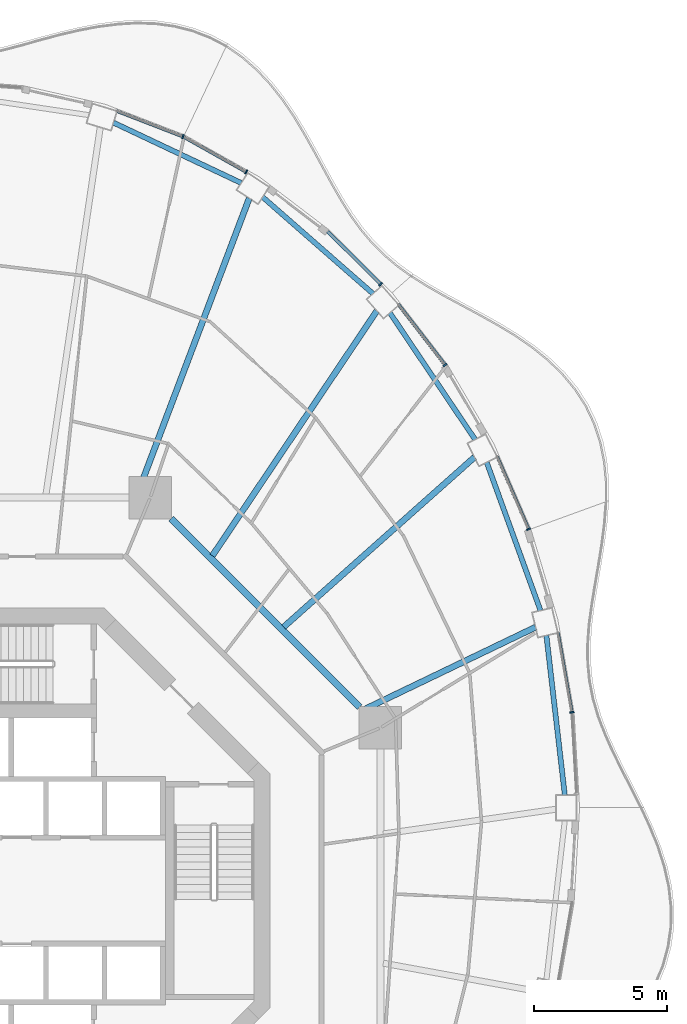
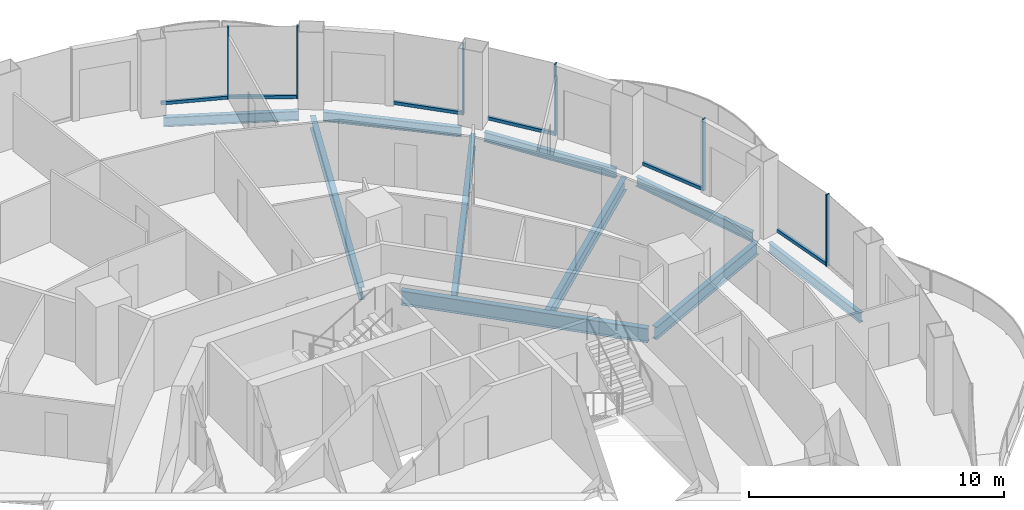
# One storey, part 7 of 18: 12 members, 10 beams, 6 elements without a shape of their own.
"""IFC4 building model written with IfcOpenShell, lengths in metres."""

from ifc_helpers import new_model, si_unit, direction, frame, origin, origin_2d, place, context, subcontext, project, spatial, rectangle, i_section, extrude, material, layer, layer_set, material_profile, profile_set, type_object, element, aggregate, save


model = new_model("IFC4")

# Units and contexts
model_context = context("Model", 3, precision=1e-05, world=origin(), true_north=direction((0.0, 1.0)))
body_context = subcontext(model_context, "Body", "Model", "MODEL_VIEW")
ifc_project = project(units=[si_unit("LENGTHUNIT", "METRE"), si_unit("AREAUNIT", "SQUARE_METRE"), si_unit("VOLUMEUNIT", "CUBIC_METRE"), si_unit("PLANEANGLEUNIT", "RADIAN"), si_unit("MASSUNIT", "GRAM", prefix="KILO")], contexts=[model_context])

# Site, building, storey
site_placement = place(None, origin())
site = spatial("IfcSite", under=ifc_project, at=site_placement, CompositionType="ELEMENT")
building_placement = place(site_placement, origin())
building = spatial("IfcBuilding", under=site, at=building_placement, Name="Nagisa Residences", CompositionType="ELEMENT")
storey_placement = place(building_placement, frame((0.0, 0.0, 223.300048828125)))
storey = spatial("IfcBuildingStorey", under=building, at=storey_placement, Name="L56", CompositionType="ELEMENT", Elevation=223.300048828125)

# Curtain wall, member
ifc_material_1 = material(Name="Concrete-coloured aluminium curtain wall system", Category="concrete")
ifc_layer = layer(ifc_material_1, 0.159912109375)
ifc_layer_set = layer_set([ifc_layer], Name="CW1 CURTAIN WALL")
curtain_wall_type = type_object("IfcCurtainWallType", Name="CW1 CURTAIN WALL", PredefinedType="NOTDEFINED", material=ifc_layer_set)
curtain_wall_1_placement = place(storey_placement, origin())
curtain_wall_1 = element("IfcCurtainWall", 1, at=curtain_wall_1_placement, inside=storey, type_object=curtain_wall_type, Name="cw:CW1:L56:01", PredefinedType="NOTDEFINED")
ifc_material_2 = material(Name="Concrete-coloured aluminium", Category="concrete")
ifc_material_profile_1 = material_profile(ifc_material_2, rectangle(XDim=0.159912109375, YDim=0.06005859375, at=origin_2d()), Name="CW1 MULLION 160x60")
ifc_profile_set_1 = profile_set([ifc_material_profile_1], Name="Concrete-coloured aluminium")
member_type_1 = type_object("IfcMemberType", Name="CW1 MULLION 160x60", PredefinedType="MULLION", material=ifc_profile_set_1)
member_1_placement = place(storey_placement, frame((21.980224609375, 6.70849609375, 0.0), z_axis=(0.0, 0.0, 1.0), x_axis=(-0.985063604377, -0.172190868898, 0.0)))
member_1 = element("IfcMember", 2, at=member_1_placement, type_object=member_type_1, Name="CW1 mullion", PredefinedType="MULLION", context=body_context, shape_type="SweptSolid", body=[
    extrude(rectangle(XDim=0.159912109375, YDim=0.06005859375, at=origin_2d()), origin(), (0.0, 0.0, 1.0), 3.43994140625),
])

curtain_wall_2_placement = place(storey_placement, origin())
curtain_wall_2 = element("IfcCurtainWall", 3, at=curtain_wall_2_placement, inside=storey, type_object=curtain_wall_type, Name="cw:CW1:L56:03", PredefinedType="NOTDEFINED")
member_2_placement = place(storey_placement, frame((20.3525390625, 13.59521484375, 0.0), z_axis=(0.0, 0.0, 1.0), x_axis=(-0.917543276295, -0.397635934147, 0.0)))
member_2 = element("IfcMember", 4, at=member_2_placement, type_object=member_type_1, Name="CW1 mullion", PredefinedType="MULLION", context=body_context, shape_type="SweptSolid", body=[
    extrude(rectangle(XDim=0.159912109375, YDim=0.06005859375, at=origin_2d()), origin(), (0.0, 0.0, 1.0), 3.43994140625),
])

curtain_wall_3_placement = place(storey_placement, origin())
curtain_wall_3 = element("IfcCurtainWall", 5, at=curtain_wall_3_placement, inside=storey, type_object=curtain_wall_type, Name="cw:CW1:L56:05", PredefinedType="NOTDEFINED")
member_3_placement = place(storey_placement, frame((17.21435546875, 19.7666015625, 0.0), z_axis=(0.0, 0.0, 1.0), x_axis=(-0.792070340816, -0.610429828235, 0.0)))
member_3 = element("IfcMember", 6, at=member_3_placement, type_object=member_type_1, Name="CW1 mullion", PredefinedType="MULLION", context=body_context, shape_type="SweptSolid", body=[
    extrude(rectangle(XDim=0.159912109375, YDim=0.06005859375, at=origin_2d()), origin(), (0.0, 0.0, 1.0), 3.43994140625),
])

curtain_wall_4_placement = place(storey_placement, origin())
curtain_wall_4 = element("IfcCurtainWall", 7, at=curtain_wall_4_placement, inside=storey, type_object=curtain_wall_type, Name="cw:CW1:L56:06", PredefinedType="NOTDEFINED")
member_4_placement = place(storey_placement, frame((14.788330078125, 22.802978515625, 0.0), z_axis=(0.0, 0.0, 1.0), x_axis=(-0.706376885714, -0.707835924016, 0.0)))
member_4 = element("IfcMember", 8, at=member_4_placement, type_object=member_type_1, Name="CW1 mullion", PredefinedType="MULLION", context=body_context, shape_type="SweptSolid", body=[
    extrude(rectangle(XDim=0.159912109375, YDim=0.06005859375, at=origin_2d()), origin(), (0.0, 0.0, 1.0), 3.43994140625),
])

curtain_wall_5_placement = place(storey_placement, origin())
curtain_wall_5 = element("IfcCurtainWall", 9, at=curtain_wall_5_placement, inside=storey, type_object=curtain_wall_type, Name="cw:CW1:L56:08", PredefinedType="NOTDEFINED")
member_5_placement = place(storey_placement, frame((9.733642578125, 27.02783203125, 0.0), z_axis=(0.0, 0.0, 1.0), x_axis=(-0.489376918501, -0.872072377523, 0.0)))
member_5 = element("IfcMember", 10, at=member_5_placement, type_object=member_type_1, Name="CW1 mullion", PredefinedType="MULLION", context=body_context, shape_type="SweptSolid", body=[
    extrude(rectangle(XDim=0.159912109375, YDim=0.06005859375, at=origin_2d()), origin(), (0.0, 0.0, 1.0), 3.43994140625),
])

curtain_wall_6_placement = place(storey_placement, origin())
curtain_wall_6 = element("IfcCurtainWall", 11, at=curtain_wall_6_placement, inside=storey, type_object=curtain_wall_type, Name="cw:CW1:L56:09", PredefinedType="NOTDEFINED")
member_6_placement = place(storey_placement, frame((7.3544921875, 28.35888671875, 0.0), z_axis=(0.0, 0.0, 1.0), x_axis=(-0.360327770268, -0.932825759707, 0.0)))
member_6 = element("IfcMember", 12, at=member_6_placement, type_object=member_type_1, Name="CW1 mullion", PredefinedType="MULLION", context=body_context, shape_type="SweptSolid", body=[
    extrude(rectangle(XDim=0.159912109375, YDim=0.06005859375, at=origin_2d()), origin(), (0.0, 0.0, 1.0), 3.43994140625),
])

# Member
ifc_material_3 = material(Name="Concrete-coloured aluminium", Category="concrete")
ifc_material_profile_2 = material_profile(ifc_material_3, rectangle(XDim=0.1201171875, YDim=0.14990234375, at=origin_2d()), Name="CW1 TRANSOM 120x150")
ifc_profile_set_2 = profile_set([ifc_material_profile_2], Name="Concrete-coloured aluminium")
member_type_2 = type_object("IfcMemberType", Name="CW1 TRANSOM 120x150", PredefinedType="USERDEFINED", material=ifc_profile_set_2)
member_7_placement = place(storey_placement, frame((21.9853515625, 6.678955078125, 0.074951171875), z_axis=(-0.172241318156, 0.985054784426, 0.0), x_axis=(-0.985054784426, -0.172241318156, 0.0)))
member_7 = element("IfcMember", 13, at=member_7_placement, type_object=member_type_2, Name="CW1 transom", ObjectType="TRANSOM", PredefinedType="USERDEFINED", context=body_context, shape_type="SweptSolid", body=[
    extrude(rectangle(XDim=0.1201171875, YDim=0.14990234375, at=origin_2d()), origin(), (0.0, 0.0, 1.0), 3.0673828125),
])

aggregate(curtain_wall_1, [member_1, member_7])

member_8_placement = place(storey_placement, frame((20.3642578125, 13.567626953125, 0.074951171875), z_axis=(-0.397616567135, 0.917551669139, 0.0), x_axis=(-0.917551669139, -0.397616567135, 0.0)))
member_8 = element("IfcMember", 14, at=member_8_placement, type_object=member_type_2, Name="CW1 transom", ObjectType="TRANSOM", PredefinedType="USERDEFINED", context=body_context, shape_type="SweptSolid", body=[
    extrude(rectangle(XDim=0.1201171875, YDim=0.14990234375, at=origin_2d()), origin(), (0.0, 0.0, 1.0), 3.001953125),
])

aggregate(curtain_wall_2, [member_2, member_8])

member_9_placement = place(storey_placement, frame((17.232666015625, 19.742919921875, 0.074951171875), z_axis=(-0.610438565676, 0.792063607001, 0.0), x_axis=(-0.792063607001, -0.610438565676, 0.0)))
member_9 = element("IfcMember", 15, at=member_9_placement, type_object=member_type_2, Name="CW1 transom", ObjectType="TRANSOM", PredefinedType="USERDEFINED", context=body_context, shape_type="SweptSolid", body=[
    extrude(rectangle(XDim=0.1201171875, YDim=0.14990234375, at=origin_2d()), origin(), (0.0, 0.0, 1.0), 2.90087890625),
])

aggregate(curtain_wall_3, [member_3, member_9])

member_10_placement = place(storey_placement, frame((14.8095703125, 22.781982421875, 0.074951171875), z_axis=(-0.707836044127, 0.706376765356, 0.0), x_axis=(-0.706376765356, -0.707836044127, 0.0)))
member_10 = element("IfcMember", 16, at=member_10_placement, type_object=member_type_2, Name="CW1 transom", ObjectType="TRANSOM", PredefinedType="USERDEFINED", context=body_context, shape_type="SweptSolid", body=[
    extrude(rectangle(XDim=0.1201171875, YDim=0.14990234375, at=origin_2d()), origin(), (0.0, 0.0, 1.0), 2.84423828125),
])

aggregate(curtain_wall_4, [member_4, member_10])

member_11_placement = place(storey_placement, frame((9.759765625, 27.012939453125, 0.074951171875), z_axis=(-0.872041873719, 0.489431272479, 0.0), x_axis=(-0.489431272479, -0.872041873719, 0.0)))
member_11 = element("IfcMember", 17, at=member_11_placement, type_object=member_type_2, Name="CW1 transom", ObjectType="TRANSOM", PredefinedType="USERDEFINED", context=body_context, shape_type="SweptSolid", body=[
    extrude(rectangle(XDim=0.1201171875, YDim=0.14990234375, at=origin_2d()), origin(), (0.0, 0.0, 1.0), 2.738037109375),
])

aggregate(curtain_wall_5, [member_5, member_11])

member_12_placement = place(storey_placement, frame((7.38232421875, 28.34814453125, 0.074951171875), z_axis=(-0.932826499224, 0.360325855782, 0.0), x_axis=(-0.360325855782, -0.932826499224, 0.0)))
member_12 = element("IfcMember", 18, at=member_12_placement, type_object=member_type_2, Name="CW1 transom", ObjectType="TRANSOM", PredefinedType="USERDEFINED", context=body_context, shape_type="SweptSolid", body=[
    extrude(rectangle(XDim=0.1201171875, YDim=0.14990234375, at=origin_2d()), origin(), (0.0, 0.0, 1.0), 2.696044921875),
])

aggregate(curtain_wall_6, [member_6, member_12])

# Beams
ifc_material_4 = material(Name="Steel ASTM A572 Gr 50", Category="steel")
ifc_material_profile_3 = material_profile(ifc_material_4, i_section(OverallWidth=0.2529296875, OverallDepth=0.677978515625, WebThickness=0.01171875, FlangeThickness=0.016357421875, at=origin_2d()), Name="W690x125")
ifc_profile_set_3 = profile_set([ifc_material_profile_3], Name="Steel ASTM A572 Gr 50")
beam_type_1 = type_object("IfcBeamType", Name="Inner ring beam W690x125", PredefinedType="BEAM", material=ifc_profile_set_3)
beam_1_placement = place(storey_placement, frame((13.99609375, 6.90869140625, -0.59912109375), z_axis=(-0.707106781187, 0.707106781187, 0.0), x_axis=(-0.707106781187, -0.707106781187, 0.0)))
element("IfcBeam", 19, at=beam_1_placement, inside=storey, type_object=beam_type_1, Name="beam:L56:ib1", PredefinedType="BEAM", context=body_context, shape_type="SweptSolid", body=[
    extrude(i_section(OverallWidth=0.2529296875, OverallDepth=0.677978515625, WebThickness=0.01171875, FlangeThickness=0.016357421875, at=origin_2d()), origin(), (0.0, 0.0, 1.0), 10.023193359375),
])
ifc_material_5 = material(Name="Steel ASTM A572 Gr 50", Category="steel")
ifc_material_profile_4 = material_profile(ifc_material_5, i_section(OverallWidth=0.18994140625, OverallDepth=0.45703125, WebThickness=0.009033203125, FlangeThickness=0.014404296875, at=origin_2d()), Name="W460x74")
ifc_profile_set_4 = profile_set([ifc_material_profile_4], Name="Steel ASTM A572 Gr 50")
beam_type_2 = type_object("IfcBeamType", Name="Perimeter ring beam W460x74", PredefinedType="BEAM", material=ifc_profile_set_4)
beam_2_placement = place(storey_placement, frame((21.714599609375, 3.597900390625, -0.488525390625), z_axis=(-0.114650193512, 0.993405925656, 0.0), x_axis=(-0.993405925656, -0.114650193512, 0.0)))
element("IfcBeam", 20, at=beam_2_placement, inside=storey, type_object=beam_type_2, Name="beam:L56:pb01", PredefinedType="BEAM", context=body_context, shape_type="SweptSolid", body=[
    extrude(i_section(OverallWidth=0.18994140625, OverallDepth=0.45703125, WebThickness=0.009033203125, FlangeThickness=0.014404296875, at=origin_2d()), origin(), (0.0, 0.0, 1.0), 6.0390625),
])
beam_3_placement = place(storey_placement, frame((20.802001953125, 10.53173828125, -0.488525390625), z_axis=(-0.34127712749, 0.939962723863, 0.0), x_axis=(-0.939962723863, -0.34127712749, 0.0)))
element("IfcBeam", 21, at=beam_3_placement, inside=storey, type_object=beam_type_2, Name="beam:L56:pb02", PredefinedType="BEAM", context=body_context, shape_type="SweptSolid", body=[
    extrude(i_section(OverallWidth=0.18994140625, OverallDepth=0.45703125, WebThickness=0.009033203125, FlangeThickness=0.014404296875, at=origin_2d()), origin(), (0.0, 0.0, 1.0), 5.9326171875),
])
beam_4_placement = place(storey_placement, frame((18.34228515625, 16.964111328125, -0.488525390625), z_axis=(-0.558109119402, 0.829767564345, 0.0), x_axis=(-0.829767564345, -0.558109119402, 0.0)))
element("IfcBeam", 22, at=beam_4_placement, inside=storey, type_object=beam_type_2, Name="beam:L56:pb03", PredefinedType="BEAM", context=body_context, shape_type="SweptSolid", body=[
    extrude(i_section(OverallWidth=0.18994140625, OverallDepth=0.45703125, WebThickness=0.009033203125, FlangeThickness=0.014404296875, at=origin_2d()), origin(), (0.0, 0.0, 1.0), 5.74365234375),
])
beam_5_placement = place(storey_placement, frame((14.502197265625, 22.45068359375, -0.488525390625), z_axis=(-0.75242320672, 0.65867998147, 0.0), x_axis=(-0.65867998147, -0.75242320672, 0.0)))
element("IfcBeam", 23, at=beam_5_placement, inside=storey, type_object=beam_type_2, Name="beam:L56:pb04", PredefinedType="BEAM", context=body_context, shape_type="SweptSolid", body=[
    extrude(i_section(OverallWidth=0.18994140625, OverallDepth=0.45703125, WebThickness=0.009033203125, FlangeThickness=0.014404296875, at=origin_2d()), origin(), (0.0, 0.0, 1.0), 5.5185546875),
])
beam_6_placement = place(storey_placement, frame((9.546630859375, 26.6123046875, -0.488525390625), z_axis=(-0.904133867308, 0.42724928319, 0.0), x_axis=(-0.42724928319, -0.904133867308, 0.0)))
element("IfcBeam", 24, at=beam_6_placement, inside=storey, type_object=beam_type_2, Name="beam:L56:pb05", PredefinedType="BEAM", context=body_context, shape_type="SweptSolid", body=[
    extrude(i_section(OverallWidth=0.18994140625, OverallDepth=0.45703125, WebThickness=0.009033203125, FlangeThickness=0.014404296875, at=origin_2d()), origin(), (0.0, 0.0, 1.0), 5.317138671875),
])
ifc_material_6 = material(Name="Steel ASTM A572 Gr 50", Category="steel")
ifc_material_profile_5 = material_profile(ifc_material_6, i_section(OverallWidth=0.22802734375, OverallDepth=0.60302734375, WebThickness=0.010498046875, FlangeThickness=0.014892578125, at=origin_2d()), Name="W610x101")
ifc_profile_set_5 = profile_set([ifc_material_profile_5], Name="Steel ASTM A572 Gr 50")
beam_type_3 = type_object("IfcBeamType", Name="Radial beam W610x101", PredefinedType="BEAM", material=ifc_profile_set_5)
beam_7_placement = place(storey_placement, frame((20.61572265625, 9.90869140625, -0.5615234375), z_axis=(-0.901297388138, -0.433200898124, 0.0), x_axis=(0.433200898124, -0.901297388138, 0.0)))
element("IfcBeam", 25, at=beam_7_placement, inside=storey, type_object=beam_type_3, Name="beam:L56:rb02", PredefinedType="BEAM", context=body_context, shape_type="SweptSolid", body=[
    extrude(i_section(OverallWidth=0.22802734375, OverallDepth=0.60302734375, WebThickness=0.010498046875, FlangeThickness=0.014892578125, at=origin_2d()), origin(), (0.0, 0.0, 1.0), 7.09423828125),
])
beam_8_placement = place(storey_placement, frame((18.318115234375, 16.301025390625, -0.5615234375), z_axis=(-0.747027831774, -0.664792763615, 0.0), x_axis=(0.664792763615, -0.747027831774, 0.0)))
element("IfcBeam", 26, at=beam_8_placement, inside=storey, type_object=beam_type_3, Name="beam:L56:rb03", PredefinedType="BEAM", context=body_context, shape_type="SweptSolid", body=[
    extrude(i_section(OverallWidth=0.22802734375, OverallDepth=0.60302734375, WebThickness=0.010498046875, FlangeThickness=0.014892578125, at=origin_2d()), origin(), (0.0, 0.0, 1.0), 9.607177734375),
])
beam_9_placement = place(storey_placement, frame((14.64697265625, 21.804931640625, -0.5615234375), z_axis=(-0.557606656779, -0.830105304354, 0.0), x_axis=(0.830105304354, -0.557606656779, 0.0)))
element("IfcBeam", 27, at=beam_9_placement, inside=storey, type_object=beam_type_3, Name="beam:L56:rb04", PredefinedType="BEAM", context=body_context, shape_type="SweptSolid", body=[
    extrude(i_section(OverallWidth=0.22802734375, OverallDepth=0.60302734375, WebThickness=0.010498046875, FlangeThickness=0.014892578125, at=origin_2d()), origin(), (0.0, 0.0, 1.0), 11.09423828125),
])
beam_10_placement = place(storey_placement, frame((9.84716796875, 26.04052734375, -0.5615234375), z_axis=(-0.353700839295, -0.935358603041, 0.0), x_axis=(0.935358603041, -0.353700839295, 0.0)))
element("IfcBeam", 28, at=beam_10_placement, inside=storey, type_object=beam_type_3, Name="beam:L56:rb05", PredefinedType="BEAM", context=body_context, shape_type="SweptSolid", body=[
    extrude(i_section(OverallWidth=0.22802734375, OverallDepth=0.60302734375, WebThickness=0.010498046875, FlangeThickness=0.014892578125, at=origin_2d()), origin(), (0.0, 0.0, 1.0), 11.921142578125),
])

save(model, "model.ifc")
